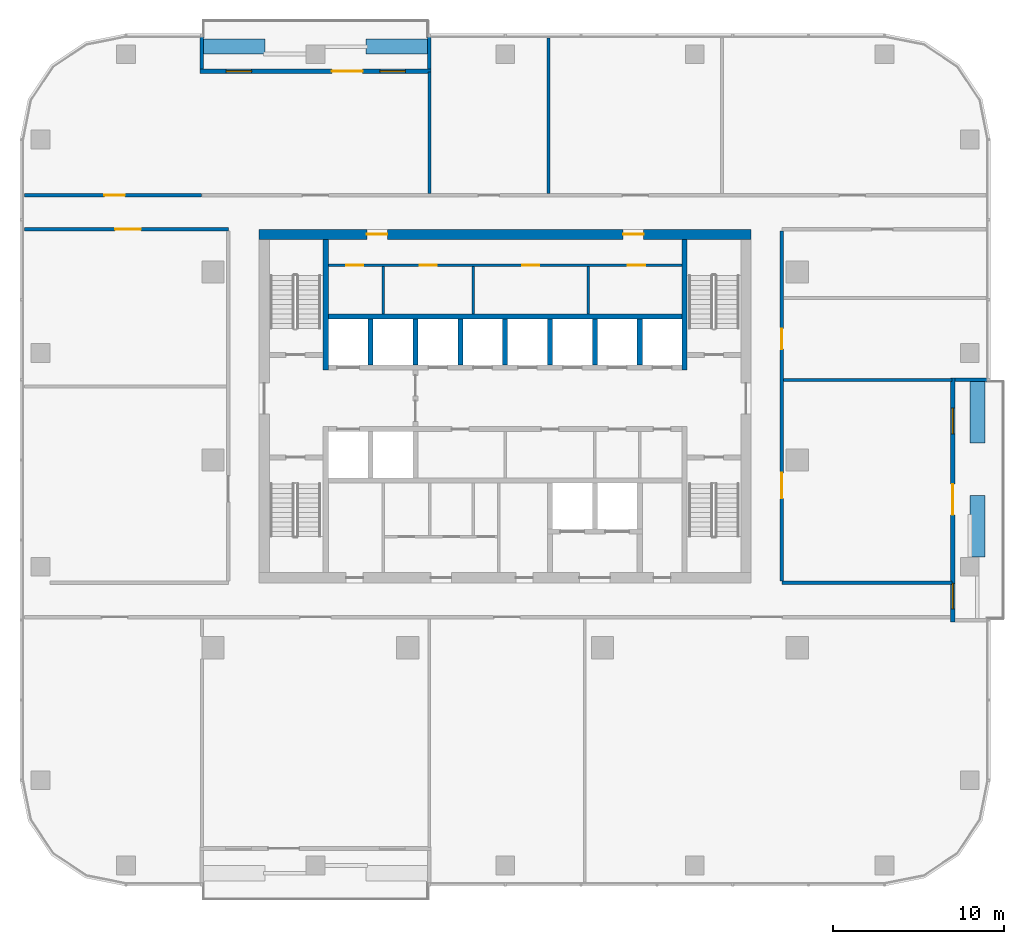
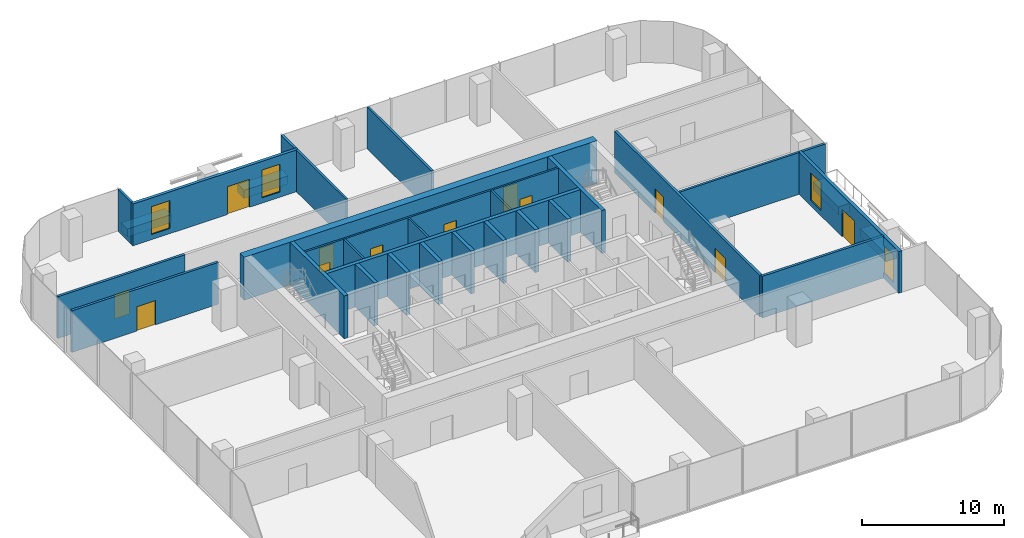
# One storey, part 9 of 14: 31 walls, 12 doors, 4 windows, 16 openings.
"""IFC4 building model written with IfcOpenShell, lengths in metres."""

from ifc_helpers import new_model, si_unit, direction, frame, frame_2d, origin, place, context, subcontext, project, spatial, rectangle, extrude, material, layer, layer_set, type_object, element, fill, save


model = new_model("IFC4")

# Units and contexts
model_context = context("Model", 3, precision=1e-05, world=origin(), true_north=direction((0.0, 1.0)))
body_context = subcontext(model_context, "Body", "Model", "MODEL_VIEW")
ifc_project = project(units=[si_unit("LENGTHUNIT", "METRE"), si_unit("AREAUNIT", "SQUARE_METRE"), si_unit("VOLUMEUNIT", "CUBIC_METRE"), si_unit("PLANEANGLEUNIT", "RADIAN"), si_unit("MASSUNIT", "GRAM", prefix="KILO")], contexts=[model_context])

# Site, building, storey
site_placement = place(None, origin())
site = spatial("IfcSite", under=ifc_project, at=site_placement, CompositionType="ELEMENT")
building_placement = place(site_placement, origin())
building = spatial("IfcBuilding", under=site, at=building_placement, Name="Mopane Tessera Tower", CompositionType="ELEMENT")
storey_placement = place(building_placement, frame((0.0, 0.0, 215.0)))
storey = spatial("IfcBuildingStorey", under=building, at=storey_placement, Name="L45", CompositionType="ELEMENT", Elevation=215.0)

# Walls
ifc_material_1 = material(Name="Fire-rated gypsum board partition")
ifc_layer_1 = layer(ifc_material_1, 0.14990234375)
ifc_layer_set_1 = layer_set([ifc_layer_1], Name="Fire-rated gypsum board partition")
wall_type_1 = type_object("IfcWallType", Name="Core room partition 150 mm", PredefinedType="PARTITIONING", material=ifc_layer_set_1)
for number, where, z_axis, x_axis, name in (
    (1, (-7.125, 8.550048828125, 0.0), (0.0, 0.0, 1.0), (0.0, 1.0, 0.0), "L45 Room partition"),
    (2, (-1.875, 8.550048828125, 0.0), (0.0, 0.0, 1.0), (0.0, 1.0, 0.0), "L45 Room partition"),
    (3, (4.875, 8.550048828125, 0.0), (0.0, 0.0, 1.0), (0.0, 1.0, 0.0), "L45 Room partition"),
):
    element("IfcWall", number, at=place(storey_placement, frame(where, z_axis=z_axis, x_axis=x_axis)), inside=storey, type_object=wall_type_1, Name=name, PredefinedType="PARTITIONING", context=body_context, shape_type="SweptSolid", body=[
        extrude(rectangle(XDim=2.77490234375, YDim=0.14990234375, at=frame_2d((1.387451171875, 0.0))), origin(), (0.0, 0.0, 1.0), 3.699951171875),
    ])

# Wall, openings, doors
wall_1_placement = place(storey_placement, frame((-10.35009765625, 11.39990234375, 0.0), z_axis=(0.0, 0.0, 1.0), x_axis=(1.0, 0.0, 0.0)))
wall_1 = element("IfcWall", 4, at=wall_1_placement, inside=storey, type_object=wall_type_1, Name="L45 Corridor wall", PredefinedType="PARTITIONING", context=body_context, shape_type="SweptSolid", body=[
    extrude(rectangle(XDim=20.7001953125, YDim=0.14990234375, at=frame_2d((10.35009765625, 0.0))), origin(), (0.0, 0.0, 1.0), 3.699951171875),
])
opening_1_placement = place(wall_1_placement, frame((1.03759765625, 0.0, 0.0)))
opening_1 = element("IfcOpeningElement", 5, at=opening_1_placement, cuts=wall_1, Name="Opening RD1", PredefinedType="OPENING", context=body_context, shape_type="SweptSolid", body=[
    extrude(rectangle(XDim=1.0, YDim=2.10009765625, at=frame_2d((0.5, 1.050048828125))), frame((0.0, 0.0869140625, 0.0), z_axis=(0.0, -1.0, 0.0), x_axis=(1.0, 0.0, 0.0)), (0.0, 0.0, 1.0), 0.173828125),
])
opening_2_placement = place(wall_1_placement, frame((5.35009765625, 0.0, 0.0)))
opening_2 = element("IfcOpeningElement", 6, at=opening_2_placement, cuts=wall_1, Name="Opening RD1", PredefinedType="OPENING", context=body_context, shape_type="SweptSolid", body=[
    extrude(rectangle(XDim=1.0, YDim=2.10009765625, at=frame_2d((0.5, 1.050048828125))), frame((0.0, 0.0869140625, 0.0), z_axis=(0.0, -1.0, 0.0), x_axis=(1.0, 0.0, 0.0)), (0.0, 0.0, 1.0), 0.173828125),
])
opening_3_placement = place(wall_1_placement, frame((11.35009765625, 0.0, 0.0)))
opening_3 = element("IfcOpeningElement", 7, at=opening_3_placement, cuts=wall_1, Name="Opening RD1", PredefinedType="OPENING", context=body_context, shape_type="SweptSolid", body=[
    extrude(rectangle(XDim=1.0, YDim=2.10009765625, at=frame_2d((0.5, 1.050048828125))), frame((0.0, 0.0869140625, 0.0), z_axis=(0.0, -1.0, 0.0), x_axis=(1.0, 0.0, 0.0)), (0.0, 0.0, 1.0), 0.173828125),
])
opening_4_placement = place(wall_1_placement, frame((17.53759765625, 0.0, 0.0)))
opening_4 = element("IfcOpeningElement", 8, at=opening_4_placement, cuts=wall_1, Name="Opening RD1", PredefinedType="OPENING", context=body_context, shape_type="SweptSolid", body=[
    extrude(rectangle(XDim=1.0, YDim=2.10009765625, at=frame_2d((0.5, 1.050048828125))), frame((0.0, 0.0869140625, 0.0), z_axis=(0.0, -1.0, 0.0), x_axis=(1.0, 0.0, 0.0)), (0.0, 0.0, 1.0), 0.173828125),
])
ifc_material_2 = material(Name="Timber door", Category="wood")
door_type_1 = type_object("IfcDoorType", Name="Core room door 1000 x 2100", OperationType="SINGLE_SWING_LEFT", PredefinedType="DOOR", material=ifc_material_2)
door_1_placement = place(opening_1_placement, origin())
door_1 = element("IfcDoor", 9, at=door_1_placement, inside=storey, type_object=door_type_1, Name="L45 Room door", OperationType="SINGLE_SWING_LEFT", OverallHeight=2.10009765625, OverallWidth=1.0, PredefinedType="DOOR", context=body_context, shape_type="SweptSolid", body=[
    extrude(rectangle(XDim=1.0, YDim=2.10009765625, at=frame_2d((0.5, 1.050048828125))), frame((0.0, 0.02490234375, 0.0), z_axis=(0.0, -1.0, 0.0), x_axis=(1.0, 0.0, 0.0)), (0.0, 0.0, 1.0), 0.050048828125),
])
fill(opening_1, door_1)
door_2_placement = place(opening_2_placement, origin())
door_2 = element("IfcDoor", 10, at=door_2_placement, inside=storey, type_object=door_type_1, Name="L45 Room door", OperationType="SINGLE_SWING_LEFT", OverallHeight=2.10009765625, OverallWidth=1.0, PredefinedType="DOOR", context=body_context, shape_type="SweptSolid", body=[
    extrude(rectangle(XDim=1.0, YDim=2.10009765625, at=frame_2d((0.5, 1.050048828125))), frame((0.0, 0.02490234375, 0.0), z_axis=(0.0, -1.0, 0.0), x_axis=(1.0, 0.0, 0.0)), (0.0, 0.0, 1.0), 0.050048828125),
])
fill(opening_2, door_2)
door_3_placement = place(opening_3_placement, origin())
door_3 = element("IfcDoor", 11, at=door_3_placement, inside=storey, type_object=door_type_1, Name="L45 Room door", OperationType="SINGLE_SWING_LEFT", OverallHeight=2.10009765625, OverallWidth=1.0, PredefinedType="DOOR", context=body_context, shape_type="SweptSolid", body=[
    extrude(rectangle(XDim=1.0, YDim=2.10009765625, at=frame_2d((0.5, 1.050048828125))), frame((0.0, 0.02490234375, 0.0), z_axis=(0.0, -1.0, 0.0), x_axis=(1.0, 0.0, 0.0)), (0.0, 0.0, 1.0), 0.050048828125),
])
fill(opening_3, door_3)
door_4_placement = place(opening_4_placement, origin())
door_4 = element("IfcDoor", 12, at=door_4_placement, inside=storey, type_object=door_type_1, Name="L45 Room door", OperationType="SINGLE_SWING_LEFT", OverallHeight=2.10009765625, OverallWidth=1.0, PredefinedType="DOOR", context=body_context, shape_type="SweptSolid", body=[
    extrude(rectangle(XDim=1.0, YDim=2.10009765625, at=frame_2d((0.5, 1.050048828125))), frame((0.0, 0.02490234375, 0.0), z_axis=(0.0, -1.0, 0.0), x_axis=(1.0, 0.0, 0.0)), (0.0, 0.0, 1.0), 0.050048828125),
])
fill(opening_4, door_4)

ifc_material_3 = material(Name="Concrete C70/85", Category="concrete")
ifc_layer_2 = layer(ifc_material_3, 0.60009765625)
ifc_layer_set_2 = layer_set([ifc_layer_2], Name="Concrete C70/85")
wall_type_2 = type_object("IfcWallType", Name="Core shear wall 600 mm", PredefinedType="SHEAR", material=ifc_layer_set_2)
wall_2_placement = place(storey_placement, frame((-14.39990234375, 13.199951171875, 0.0), z_axis=(0.0, 0.0, 1.0), x_axis=(1.0, 0.0, 0.0)))
wall_2 = element("IfcWall", 13, at=wall_2_placement, inside=storey, type_object=wall_type_2, Name="L45 Core wall north", PredefinedType="SHEAR", context=body_context, shape_type="SweptSolid", body=[
    extrude(rectangle(XDim=28.7998046875, YDim=0.60009765625, at=frame_2d((14.39990234375, 0.0))), origin(), (0.0, 0.0, 1.0), 3.699951171875),
])
opening_5_placement = place(wall_2_placement, frame((6.300048828125, 0.0, 0.0)))
opening_5 = element("IfcOpeningElement", 14, at=opening_5_placement, cuts=wall_2, Name="Opening RD2", PredefinedType="OPENING", context=body_context, shape_type="SweptSolid", body=[
    extrude(rectangle(XDim=1.199951171875, YDim=2.10009765625, at=frame_2d((0.60009765625, 1.050048828125))), frame((0.0, 0.31201171875, 0.0), z_axis=(0.0, -1.0, 0.0), x_axis=(1.0, 0.0, 0.0)), (0.0, 0.0, 1.0), 0.6240234375),
])
opening_6_placement = place(wall_2_placement, frame((21.300048828125, 0.0, 0.0)))
opening_6 = element("IfcOpeningElement", 15, at=opening_6_placement, cuts=wall_2, Name="Opening RD2", PredefinedType="OPENING", context=body_context, shape_type="SweptSolid", body=[
    extrude(rectangle(XDim=1.199951171875, YDim=2.10009765625, at=frame_2d((0.60009765625, 1.050048828125))), frame((0.0, 0.31201171875, 0.0), z_axis=(0.0, -1.0, 0.0), x_axis=(1.0, 0.0, 0.0)), (0.0, 0.0, 1.0), 0.6240234375),
])
ifc_material_4 = material(Name="Timber door", Category="wood")
door_type_2 = type_object("IfcDoorType", Name="Core corridor door 1200 x 2100", OperationType="SINGLE_SWING_LEFT", PredefinedType="DOOR", material=ifc_material_4)
door_5_placement = place(opening_5_placement, origin())
door_5 = element("IfcDoor", 16, at=door_5_placement, inside=storey, type_object=door_type_2, Name="L45 Corridor door", OperationType="SINGLE_SWING_LEFT", OverallHeight=2.10009765625, OverallWidth=1.199951171875, PredefinedType="DOOR", context=body_context, shape_type="SweptSolid", body=[
    extrude(rectangle(XDim=1.199951171875, YDim=2.10009765625, at=frame_2d((0.60009765625, 1.050048828125))), frame((0.0, 0.02490234375, 0.0), z_axis=(0.0, -1.0, 0.0), x_axis=(1.0, 0.0, 0.0)), (0.0, 0.0, 1.0), 0.050048828125),
])
fill(opening_5, door_5)
door_6_placement = place(opening_6_placement, origin())
door_6 = element("IfcDoor", 17, at=door_6_placement, inside=storey, type_object=door_type_2, Name="L45 Corridor door", OperationType="SINGLE_SWING_RIGHT", OverallHeight=2.10009765625, OverallWidth=1.199951171875, PredefinedType="DOOR", context=body_context, shape_type="SweptSolid", body=[
    extrude(rectangle(XDim=1.199951171875, YDim=2.10009765625, at=frame_2d((0.60009765625, 1.050048828125))), frame((0.0, 0.02490234375, 0.0), z_axis=(0.0, -1.0, 0.0), x_axis=(1.0, 0.0, 0.0)), (0.0, 0.0, 1.0), 0.050048828125),
])
fill(opening_6, door_6)

# Walls
ifc_material_5 = material(Name="Concrete C60/75", Category="concrete")
ifc_layer_3 = layer(ifc_material_5, 0.300048828125)
ifc_layer_set_3 = layer_set([ifc_layer_3], Name="Concrete C60/75")
wall_type_3 = type_object("IfcWallType", Name="Core spine wall 300 mm", PredefinedType="SHEAR", material=ifc_layer_set_3)
for number, where, z_axis, x_axis, name in (
    (18, (-10.5, 5.25, 0.0), (0.0, 0.0, 1.0), (0.0, 1.0, 0.0), "L45 Core spine wall"),
    (19, (10.5, 5.25, 0.0), (0.0, 0.0, 1.0), (0.0, 1.0, 0.0), "L45 Core spine wall"),
):
    element("IfcWall", number, at=place(storey_placement, frame(where, z_axis=z_axis, x_axis=x_axis)), inside=storey, type_object=wall_type_3, Name=name, PredefinedType="SHEAR", context=body_context, shape_type="SweptSolid", body=[
        extrude(rectangle(XDim=7.64990234375, YDim=0.300048828125, at=frame_2d((3.824951171875, 0.0))), origin(), (0.0, 0.0, 1.0), 3.699951171875),
    ])
ifc_material_6 = material(Name="Gypsum board on staggered steel studs, double layer each face, acoustic mineral wool infill", Category="steel")
ifc_layer_4 = layer(ifc_material_6, 0.175048828125)
ifc_layer_set_4 = layer_set([ifc_layer_4], Name="Gypsum board on staggered steel studs, double layer each face, acoustic mineral wool infill")
wall_type_4 = type_object("IfcWallType", Name="Gypsum board acoustic partition 175, rated EI 60", PredefinedType="PARTITIONING", material=ifc_layer_set_4)
wall_3_placement = place(storey_placement, frame((16.300048828125, 4.68994140625, 0.0), z_axis=(0.0, 0.0, 1.0), x_axis=(1.0, 0.0, 0.0)))
element("IfcWall", 20, at=wall_3_placement, inside=storey, type_object=wall_type_4, Name="Partition L45:004", PredefinedType="PARTITIONING", context=body_context, shape_type="SweptSolid", body=[
    extrude(rectangle(XDim=9.849853515625, YDim=0.175048828125, at=frame_2d((4.9248046875, 0.0))), origin(), (0.0, 0.0, 1.0), 3.60009765625),
])
wall_4_placement = place(storey_placement, frame((-4.43994140625, 15.60009765625, 0.0), z_axis=(0.0, 0.0, 1.0), x_axis=(0.0, 1.0, 0.0)))
element("IfcWall", 21, at=wall_4_placement, inside=storey, type_object=wall_type_4, Name="Partition L45:014", PredefinedType="PARTITIONING", context=body_context, shape_type="SweptSolid", body=[
    extrude(rectangle(XDim=7.099853515625, YDim=0.175048828125, at=frame_2d((3.5498046875, 0.0))), origin(), (0.0, 0.0, 1.0), 3.60009765625),
])
wall_5_placement = place(storey_placement, frame((2.5400390625, 15.60009765625, 0.0), z_axis=(0.0, 0.0, 1.0), x_axis=(0.0, 1.0, 0.0)))
element("IfcWall", 22, at=wall_5_placement, inside=storey, type_object=wall_type_4, Name="Partition L45:015", PredefinedType="PARTITIONING", context=body_context, shape_type="SweptSolid", body=[
    extrude(rectangle(XDim=9.099853515625, YDim=0.175048828125, at=frame_2d((4.5498046875, 0.0))), origin(), (0.0, 0.0, 1.0), 3.60009765625),
])
ifc_material_7 = material(Name="Gypsum board on steel studs, two layers each face, mineral wool infill", Category="steel")
ifc_layer_5 = layer(ifc_material_7, 0.199951171875)
ifc_layer_set_5 = layer_set([ifc_layer_5], Name="Gypsum board on steel studs, two layers each face, mineral wool infill")
wall_type_5 = type_object("IfcWallType", Name="Gypsum board corridor wall 200, rated EI 60", PredefinedType="PARTITIONING", material=ifc_layer_set_5)
wall_6_placement = place(storey_placement, frame((16.199951171875, -7.199951171875, 0.0), z_axis=(0.0, 0.0, 1.0), x_axis=(1.0, 0.0, 0.0)))
element("IfcWall", 23, at=wall_6_placement, inside=storey, type_object=wall_type_5, Name="Partition L45:002", PredefinedType="PARTITIONING", context=body_context, shape_type="SweptSolid", body=[
    extrude(rectangle(XDim=9.949951171875, YDim=0.199951171875, at=frame_2d((4.97509765625, 0.0))), origin(), (0.0, 0.0, 1.0), 3.60009765625),
])

# Wall, opening, door
wall_7_placement = place(storey_placement, frame((-28.14990234375, 13.5, 0.0), z_axis=(0.0, 0.0, 1.0), x_axis=(1.0, 0.0, 0.0)))
wall_7 = element("IfcWall", 24, at=wall_7_placement, inside=storey, type_object=wall_type_5, Name="Partition L45:006", PredefinedType="PARTITIONING", context=body_context, shape_type="SweptSolid", body=[
    extrude(rectangle(XDim=11.949951171875, YDim=0.199951171875, at=frame_2d((5.97509765625, 0.0))), origin(), (0.0, 0.0, 1.0), 3.60009765625),
])
opening_7_placement = place(wall_7_placement, frame((5.324951171875, 0.0, 0.0)))
opening_7 = element("IfcOpeningElement", 25, at=opening_7_placement, cuts=wall_7, Name="Opening L45-06", PredefinedType="OPENING", context=body_context, shape_type="SweptSolid", body=[
    extrude(rectangle(XDim=1.5, YDim=2.10009765625, at=frame_2d((0.75, 1.050048828125))), frame((0.0, 0.112060546875, 0.0), z_axis=(0.0, -1.0, 0.0), x_axis=(1.0, 0.0, 0.0)), (0.0, 0.0, 1.0), 0.223876953125),
])
ifc_material_8 = material(Name="Timber veneered steel-framed fire door", Category="steel")
door_type_3 = type_object("IfcDoorType", Name="Fire door pair FD60 1500 x 2100", OperationType="DOUBLE_DOOR_SINGLE_SWING", PredefinedType="DOOR", material=ifc_material_8)
door_7_placement = place(opening_7_placement, origin())
door_7 = element("IfcDoor", 26, at=door_7_placement, inside=storey, type_object=door_type_3, Name="Door L45-06", ObjectType="D17A", OperationType="DOUBLE_DOOR_SINGLE_SWING", OverallHeight=2.10009765625, OverallWidth=1.5, PredefinedType="DOOR", context=body_context, shape_type="SweptSolid", body=[
    extrude(rectangle(XDim=1.5, YDim=2.10009765625, at=frame_2d((0.75, 1.050048828125))), frame((0.0, 0.02490234375, 0.0), z_axis=(0.0, -1.0, 0.0), x_axis=(1.0, 0.0, 0.0)), (0.0, 0.0, 1.0), 0.050048828125),
])
fill(opening_7, door_7)

wall_8_placement = place(storey_placement, frame((-28.14990234375, 15.5, 0.0), z_axis=(0.0, 0.0, 1.0), x_axis=(1.0, 0.0, 0.0)))
wall_8 = element("IfcWall", 27, at=wall_8_placement, inside=storey, type_object=wall_type_5, Name="Partition L45:008", PredefinedType="PARTITIONING", context=body_context, shape_type="SweptSolid", body=[
    extrude(rectangle(XDim=10.364990234375, YDim=0.199951171875, at=frame_2d((5.1826171875, 0.0))), origin(), (0.0, 0.0, 1.0), 3.60009765625),
])
opening_8_placement = place(wall_8_placement, frame((4.6826171875, 0.0, 0.0)))
opening_8 = element("IfcOpeningElement", 28, at=opening_8_placement, cuts=wall_8, Name="Opening L45-05", PredefinedType="OPENING", context=body_context, shape_type="SweptSolid", body=[
    extrude(rectangle(XDim=1.199951171875, YDim=2.10009765625, at=frame_2d((0.60009765625, 1.050048828125))), frame((0.0, 0.112060546875, 0.0), z_axis=(0.0, -1.0, 0.0), x_axis=(1.0, 0.0, 0.0)), (0.0, 0.0, 1.0), 0.223876953125),
])
ifc_material_9 = material(Name="Timber veneered steel-framed fire door", Category="steel")
door_type_4 = type_object("IfcDoorType", Name="Fire door FD60 1200 x 2100", OperationType="SINGLE_SWING_LEFT", PredefinedType="DOOR", material=ifc_material_9)
door_8_placement = place(opening_8_placement, origin())
door_8 = element("IfcDoor", 29, at=door_8_placement, inside=storey, type_object=door_type_4, Name="Door L45-05", ObjectType="D15A", OperationType="SINGLE_SWING_RIGHT", OverallHeight=2.10009765625, OverallWidth=1.199951171875, PredefinedType="DOOR", context=body_context, shape_type="SweptSolid", body=[
    extrude(rectangle(XDim=1.199951171875, YDim=2.10009765625, at=frame_2d((0.60009765625, 1.050048828125))), frame((0.0, 0.02490234375, 0.0), z_axis=(0.0, -1.0, 0.0), x_axis=(1.0, 0.0, 0.0)), (0.0, 0.0, 1.0), 0.050048828125),
])
fill(opening_8, door_8)

# Wall, openings, doors
wall_9_placement = place(storey_placement, frame((16.199951171875, -7.10009765625, 0.0), z_axis=(0.0, 0.0, 1.0), x_axis=(0.0, 1.0, 0.0)))
wall_9 = element("IfcWall", 30, at=wall_9_placement, inside=storey, type_object=wall_type_5, Name="Partition L45:018", PredefinedType="PARTITIONING", context=body_context, shape_type="SweptSolid", body=[
    extrude(rectangle(XDim=20.5, YDim=0.199951171875, at=frame_2d((10.25, 0.0))), origin(), (0.0, 0.0, 1.0), 3.60009765625),
])
opening_9_placement = place(wall_9_placement, frame((4.844970703125, 0.0, 0.0)))
opening_9 = element("IfcOpeningElement", 31, at=opening_9_placement, cuts=wall_9, Name="Opening L45-10", PredefinedType="OPENING", context=body_context, shape_type="SweptSolid", body=[
    extrude(rectangle(XDim=1.5, YDim=2.10009765625, at=frame_2d((0.75, 1.050048828125))), frame((0.0, 0.112060546875, 0.0), z_axis=(0.0, -1.0, 0.0), x_axis=(1.0, 0.0, 0.0)), (0.0, 0.0, 1.0), 0.223876953125),
])
opening_10_placement = place(wall_9_placement, frame((13.58740234375, 0.0, 0.0)))
opening_10 = element("IfcOpeningElement", 32, at=opening_10_placement, cuts=wall_9, Name="Opening L45-14", PredefinedType="OPENING", context=body_context, shape_type="SweptSolid", body=[
    extrude(rectangle(XDim=1.199951171875, YDim=2.10009765625, at=frame_2d((0.60009765625, 1.050048828125))), frame((0.0, 0.112060546875, 0.0), z_axis=(0.0, -1.0, 0.0), x_axis=(1.0, 0.0, 0.0)), (0.0, 0.0, 1.0), 0.223876953125),
])
door_9_placement = place(opening_10_placement, origin())
door_9 = element("IfcDoor", 33, at=door_9_placement, inside=storey, type_object=door_type_4, Name="Door L45-14", ObjectType="D15A", OperationType="SINGLE_SWING_RIGHT", OverallHeight=2.10009765625, OverallWidth=1.199951171875, PredefinedType="DOOR", context=body_context, shape_type="SweptSolid", body=[
    extrude(rectangle(XDim=1.199951171875, YDim=2.10009765625, at=frame_2d((0.60009765625, 1.050048828125))), frame((0.0, 0.02490234375, 0.0), z_axis=(0.0, -1.0, 0.0), x_axis=(1.0, 0.0, 0.0)), (0.0, 0.0, 1.0), 0.050048828125),
])
fill(opening_10, door_9)
door_10_placement = place(opening_9_placement, origin())
door_10 = element("IfcDoor", 34, at=door_10_placement, inside=storey, type_object=door_type_3, Name="Door L45-10", ObjectType="D17A", OperationType="DOUBLE_DOOR_SINGLE_SWING", OverallHeight=2.10009765625, OverallWidth=1.5, PredefinedType="DOOR", context=body_context, shape_type="SweptSolid", body=[
    extrude(rectangle(XDim=1.5, YDim=2.10009765625, at=frame_2d((0.75, 1.050048828125))), frame((0.0, 0.02490234375, 0.0), z_axis=(0.0, -1.0, 0.0), x_axis=(1.0, 0.0, 0.0)), (0.0, 0.0, 1.0), 0.050048828125),
])
fill(opening_9, door_10)

# Walls
ifc_material_10 = material(Name="Concrete C50/60", Category="concrete")
ifc_layer_6 = layer(ifc_material_10, 0.300048828125)
ifc_layer_set_6 = layer_set([ifc_layer_6], Name="Concrete C50/60")
wall_type_6 = type_object("IfcWallType", Name="Lift and stair shaft wall 300 mm", PredefinedType="SOLIDWALL", material=ifc_layer_set_6)
wall_10_placement = place(storey_placement, frame((-10.35009765625, 8.39990234375, 0.0), z_axis=(0.0, 0.0, 1.0), x_axis=(1.0, 0.0, 0.0)))
element("IfcWall", 35, at=wall_10_placement, inside=storey, type_object=wall_type_6, Name="L45 Lift shaft rear wall", PredefinedType="SOLIDWALL", context=body_context, shape_type="SweptSolid", body=[
    extrude(rectangle(XDim=20.7001953125, YDim=0.300048828125, at=frame_2d((10.35009765625, 0.0))), origin(), (0.0, 0.0, 1.0), 3.699951171875),
])
for number, where, z_axis, x_axis, name in (
    (36, (-7.875, 5.550048828125, 0.0), (0.0, 0.0, 1.0), (0.0, 1.0, 0.0), "L45 Lift shaft wall"),
    (37, (-5.25, 5.550048828125, 0.0), (0.0, 0.0, 1.0), (0.0, 1.0, 0.0), "L45 Lift shaft wall"),
    (38, (-2.625, 5.550048828125, 0.0), (0.0, 0.0, 1.0), (0.0, 1.0, 0.0), "L45 Lift shaft wall"),
    (39, (0.0, 5.550048828125, 0.0), (0.0, 0.0, 1.0), (0.0, 1.0, 0.0), "L45 Lift shaft wall"),
    (40, (2.625, 5.550048828125, 0.0), (0.0, 0.0, 1.0), (0.0, 1.0, 0.0), "L45 Lift shaft wall"),
    (41, (5.25, 5.550048828125, 0.0), (0.0, 0.0, 1.0), (0.0, 1.0, 0.0), "L45 Lift shaft wall"),
    (42, (7.875, 5.550048828125, 0.0), (0.0, 0.0, 1.0), (0.0, 1.0, 0.0), "L45 Lift shaft wall"),
):
    element("IfcWall", number, at=place(storey_placement, frame(where, z_axis=z_axis, x_axis=x_axis)), inside=storey, type_object=wall_type_6, Name=name, PredefinedType="SOLIDWALL", context=body_context, shape_type="SweptSolid", body=[
        extrude(rectangle(XDim=2.699951171875, YDim=0.300048828125, at=frame_2d((1.35009765625, 0.0))), origin(), (0.0, 0.0, 1.0), 3.699951171875),
    ])
ifc_material_11 = material(Name="Reinforced concrete C32/40 with waterproofing", Category="concrete")
ifc_layer_7 = layer(ifc_material_11, 0.89990234375)
ifc_layer_set_7 = layer_set([ifc_layer_7], Name="Reinforced concrete C32/40 with waterproofing")
wall_type_7 = type_object("IfcWallType", Name="Planter trough 3600 x 900", PredefinedType="STANDARD", material=ifc_layer_set_7)
for number, where, z_axis, x_axis, name in (
    (43, (27.64990234375, -5.679931640625, 0.0), (0.0, 0.0, 1.0), (0.0, 1.0, 0.0), "e:nw:L45:N2:pl0"),
    (44, (27.64990234375, 0.987548828125, 0.0), (0.0, 0.0, 1.0), (0.0, 1.0, 0.0), "e:nw:L45:N2:pl1"),
    (45, (-4.5400390625, 24.199951171875, 0.0), (0.0, 0.0, 1.0), (-1.0, 0.0, 0.0), "e:nw:L45:N3:pl0"),
    (46, (-14.06005859375, 24.199951171875, 0.0), (0.0, 0.0, 1.0), (-1.0, 0.0, 0.0), "e:nw:L45:N3:pl1"),
):
    element("IfcWall", number, at=place(storey_placement, frame(where, z_axis=z_axis, x_axis=x_axis)), inside=storey, type_object=wall_type_7, Name=name, PredefinedType="STANDARD", context=body_context, shape_type="SweptSolid", body=[
        extrude(rectangle(XDim=3.599853515625, YDim=0.89990234375, at=frame_2d((1.7998046875, 0.0))), origin(), (0.0, 0.0, 1.0), 0.699951171875),
    ])
ifc_material_12 = material(Name="Blockwork with glazed tile facing", Category="masonry")
ifc_layer_8 = layer(ifc_material_12, 0.199951171875)
ifc_layer_set_8 = layer_set([ifc_layer_8], Name="Blockwork with glazed tile facing")
wall_type_8 = type_object("IfcWallType", Name="Terrace cheek wall 200", PredefinedType="STANDARD", material=ifc_layer_set_8)
for number, where, z_axis, x_axis, name in (
    (47, (28.199951171875, 4.6875, 0.0), (0.0, 0.0, 1.0), (-1.0, 0.0, 0.0), "e:nw:L45:N2:cheekb"),
    (48, (-4.43994140625, 24.75, 0.0), (0.0, 0.0, 1.0), (0.0, -1.0, 0.0), "e:nw:L45:N3:cheeka"),
    (49, (-17.760009765625, 24.75, 0.0), (0.0, 0.0, 1.0), (0.0, -1.0, 0.0), "e:nw:L45:N3:cheekb"),
):
    element("IfcWall", number, at=place(storey_placement, frame(where, z_axis=z_axis, x_axis=x_axis)), inside=storey, type_object=wall_type_8, Name=name, PredefinedType="STANDARD", context=body_context, shape_type="SweptSolid", body=[
        extrude(rectangle(XDim=1.875, YDim=0.199951171875, at=frame_2d((0.9375, 0.0))), origin(), (0.0, 0.0, 1.0), 3.60009765625),
    ])

# Wall, openings, windows, door
ifc_material_13 = material(Name="Blockwork with ultramarine glazed tile facing", Category="masonry")
ifc_layer_9 = layer(ifc_material_13, 0.25)
ifc_layer_set_9 = layer_set([ifc_layer_9], Name="Blockwork with ultramarine glazed tile facing")
wall_type_9 = type_object("IfcWallType", Name="Tile-clad external wall 250, ultramarine", PredefinedType="STANDARD", material=ifc_layer_set_9)
wall_11_placement = place(storey_placement, frame((26.199951171875, -9.47509765625, 0.0), z_axis=(0.0, 0.0, 1.0), x_axis=(0.0, 1.0, 0.0)))
wall_11 = element("IfcWall", 50, at=wall_11_placement, inside=storey, type_object=wall_type_9, Name="e:nw:L45:N2:back", PredefinedType="STANDARD", context=body_context, shape_type="SweptSolid", body=[
    extrude(rectangle(XDim=14.2626953125, YDim=0.25, at=frame_2d((7.13134765625, 0.0))), origin(), (0.0, 0.0, 1.0), 3.60009765625),
])
opening_11_placement = place(wall_11_placement, frame((0.75, 0.0, 0.449951171875)))
opening_11 = element("IfcOpeningElement", 51, at=opening_11_placement, cuts=wall_11, Name="Opening NW452A", PredefinedType="OPENING", context=body_context, shape_type="SweptSolid", body=[
    extrude(rectangle(XDim=1.5, YDim=2.39990234375, at=frame_2d((0.75, 1.199951171875))), frame((0.0, 0.136962890625, 0.0), z_axis=(0.0, -1.0, 0.0), x_axis=(1.0, 0.0, 0.0)), (0.0, 0.0, 1.0), 0.27392578125),
])
opening_12_placement = place(wall_11_placement, frame((6.25, 0.0, 0.0)))
opening_12 = element("IfcOpeningElement", 52, at=opening_12_placement, cuts=wall_11, Name="Opening ND452", PredefinedType="OPENING", context=body_context, shape_type="SweptSolid", body=[
    extrude(rectangle(XDim=1.800048828125, YDim=2.39990234375, at=frame_2d((0.89990234375, 1.199951171875))), frame((0.0, 0.136962890625, 0.0), z_axis=(0.0, -1.0, 0.0), x_axis=(1.0, 0.0, 0.0)), (0.0, 0.0, 1.0), 0.27392578125),
])
opening_13_placement = place(wall_11_placement, frame((11.0, 0.0, 0.449951171875)))
opening_13 = element("IfcOpeningElement", 53, at=opening_13_placement, cuts=wall_11, Name="Opening NW452B", PredefinedType="OPENING", context=body_context, shape_type="SweptSolid", body=[
    extrude(rectangle(XDim=1.5, YDim=2.39990234375, at=frame_2d((0.75, 1.199951171875))), frame((0.0, 0.136962890625, 0.0), z_axis=(0.0, -1.0, 0.0), x_axis=(1.0, 0.0, 0.0)), (0.0, 0.0, 1.0), 0.27392578125),
])
ifc_material_14 = material(Name="Clear laminated glass", Category="glass")
window_type = type_object("IfcWindowType", Name="Fixed window 1500 x 2400", PartitioningType="SINGLE_PANEL", PredefinedType="WINDOW", material=ifc_material_14)
window_1_placement = place(opening_11_placement, origin())
window_1 = element("IfcWindow", 54, at=window_1_placement, inside=storey, type_object=window_type, Name="e:nw:L45:N2:win0", OverallHeight=2.39990234375, OverallWidth=1.5, PartitioningType="SINGLE_PANEL", PredefinedType="WINDOW", context=body_context, shape_type="SweptSolid", body=[
    extrude(rectangle(XDim=1.5, YDim=2.39990234375, at=frame_2d((0.75, 1.199951171875))), frame((0.0, 0.030029296875, 0.0), z_axis=(0.0, -1.0, 0.0), x_axis=(1.0, 0.0, 0.0)), (0.0, 0.0, 1.0), 0.06005859375),
])
fill(opening_11, window_1)
window_2_placement = place(opening_13_placement, origin())
window_2 = element("IfcWindow", 55, at=window_2_placement, inside=storey, type_object=window_type, Name="e:nw:L45:N2:win2", OverallHeight=2.39990234375, OverallWidth=1.5, PartitioningType="SINGLE_PANEL", PredefinedType="WINDOW", context=body_context, shape_type="SweptSolid", body=[
    extrude(rectangle(XDim=1.5, YDim=2.39990234375, at=frame_2d((0.75, 1.199951171875))), frame((0.0, 0.030029296875, 0.0), z_axis=(0.0, -1.0, 0.0), x_axis=(1.0, 0.0, 0.0)), (0.0, 0.0, 1.0), 0.06005859375),
])
fill(opening_13, window_2)
ifc_material_15 = material(Name="Aluminium and clear glass", Category="aluminium")
door_type_5 = type_object("IfcDoorType", Name="Terrace double door 1800 x 2400", OperationType="DOUBLE_DOOR_SINGLE_SWING", PredefinedType="DOOR", material=ifc_material_15)
door_11_placement = place(opening_12_placement, origin())
door_11 = element("IfcDoor", 56, at=door_11_placement, inside=storey, type_object=door_type_5, Name="e:nw:L45:N2:door", ObjectType="D1", OperationType="DOUBLE_DOOR_SINGLE_SWING", OverallHeight=2.39990234375, OverallWidth=1.800048828125, PredefinedType="DOOR", context=body_context, shape_type="SweptSolid", body=[
    extrude(rectangle(XDim=1.800048828125, YDim=2.39990234375, at=frame_2d((0.89990234375, 1.199951171875))), frame((0.0, 0.02490234375, 0.0), z_axis=(0.0, -1.0, 0.0), x_axis=(1.0, 0.0, 0.0)), (0.0, 0.0, 1.0), 0.050048828125),
])
fill(opening_12, door_11)

wall_12_placement = place(storey_placement, frame((-4.340087890625, 22.75, 0.0), z_axis=(0.0, 0.0, 1.0), x_axis=(-1.0, 0.0, 0.0)))
wall_12 = element("IfcWall", 57, at=wall_12_placement, inside=storey, type_object=wall_type_9, Name="e:nw:L45:N3:back", PredefinedType="STANDARD", context=body_context, shape_type="SweptSolid", body=[
    extrude(rectangle(XDim=13.52001953125, YDim=0.25, at=frame_2d((6.760009765625, 0.0))), origin(), (0.0, 0.0, 1.0), 3.60009765625),
])
opening_14_placement = place(wall_12_placement, frame((1.5, 0.0, 0.449951171875)))
opening_14 = element("IfcOpeningElement", 58, at=opening_14_placement, cuts=wall_12, Name="Opening NW453A", PredefinedType="OPENING", context=body_context, shape_type="SweptSolid", body=[
    extrude(rectangle(XDim=1.5, YDim=2.39990234375, at=frame_2d((0.75, 1.199951171875))), frame((0.0, 0.136962890625, 0.0), z_axis=(0.0, -1.0, 0.0), x_axis=(1.0, 0.0, 0.0)), (0.0, 0.0, 1.0), 0.27392578125),
])
opening_15_placement = place(wall_12_placement, frame((4.0, 0.0, 0.0)))
opening_15 = element("IfcOpeningElement", 59, at=opening_15_placement, cuts=wall_12, Name="Opening ND453", PredefinedType="OPENING", context=body_context, shape_type="SweptSolid", body=[
    extrude(rectangle(XDim=1.800048828125, YDim=2.39990234375, at=frame_2d((0.89990234375, 1.199951171875))), frame((0.0, 0.136962890625, 0.0), z_axis=(0.0, -1.0, 0.0), x_axis=(1.0, 0.0, 0.0)), (0.0, 0.0, 1.0), 0.27392578125),
])
opening_16_placement = place(wall_12_placement, frame((10.5, 0.0, 0.449951171875)))
opening_16 = element("IfcOpeningElement", 60, at=opening_16_placement, cuts=wall_12, Name="Opening NW453B", PredefinedType="OPENING", context=body_context, shape_type="SweptSolid", body=[
    extrude(rectangle(XDim=1.5, YDim=2.39990234375, at=frame_2d((0.75, 1.199951171875))), frame((0.0, 0.136962890625, 0.0), z_axis=(0.0, -1.0, 0.0), x_axis=(1.0, 0.0, 0.0)), (0.0, 0.0, 1.0), 0.27392578125),
])
window_3_placement = place(opening_14_placement, origin())
window_3 = element("IfcWindow", 61, at=window_3_placement, inside=storey, type_object=window_type, Name="e:nw:L45:N3:win0", OverallHeight=2.39990234375, OverallWidth=1.5, PartitioningType="SINGLE_PANEL", PredefinedType="WINDOW", context=body_context, shape_type="SweptSolid", body=[
    extrude(rectangle(XDim=1.5, YDim=2.39990234375, at=frame_2d((0.75, 1.199951171875))), frame((0.0, 0.030029296875, 0.0), z_axis=(0.0, -1.0, 0.0), x_axis=(1.0, 0.0, 0.0)), (0.0, 0.0, 1.0), 0.06005859375),
])
fill(opening_14, window_3)
window_4_placement = place(opening_16_placement, origin())
window_4 = element("IfcWindow", 62, at=window_4_placement, inside=storey, type_object=window_type, Name="e:nw:L45:N3:win2", OverallHeight=2.39990234375, OverallWidth=1.5, PartitioningType="SINGLE_PANEL", PredefinedType="WINDOW", context=body_context, shape_type="SweptSolid", body=[
    extrude(rectangle(XDim=1.5, YDim=2.39990234375, at=frame_2d((0.75, 1.199951171875))), frame((0.0, 0.030029296875, 0.0), z_axis=(0.0, -1.0, 0.0), x_axis=(1.0, 0.0, 0.0)), (0.0, 0.0, 1.0), 0.06005859375),
])
fill(opening_16, window_4)
door_12_placement = place(opening_15_placement, origin())
door_12 = element("IfcDoor", 63, at=door_12_placement, inside=storey, type_object=door_type_5, Name="e:nw:L45:N3:door", ObjectType="D1", OperationType="DOUBLE_DOOR_SINGLE_SWING", OverallHeight=2.39990234375, OverallWidth=1.800048828125, PredefinedType="DOOR", context=body_context, shape_type="SweptSolid", body=[
    extrude(rectangle(XDim=1.800048828125, YDim=2.39990234375, at=frame_2d((0.89990234375, 1.199951171875))), frame((0.0, 0.02490234375, 0.0), z_axis=(0.0, -1.0, 0.0), x_axis=(1.0, 0.0, 0.0)), (0.0, 0.0, 1.0), 0.050048828125),
])
fill(opening_15, door_12)

save(model, "model.ifc")
